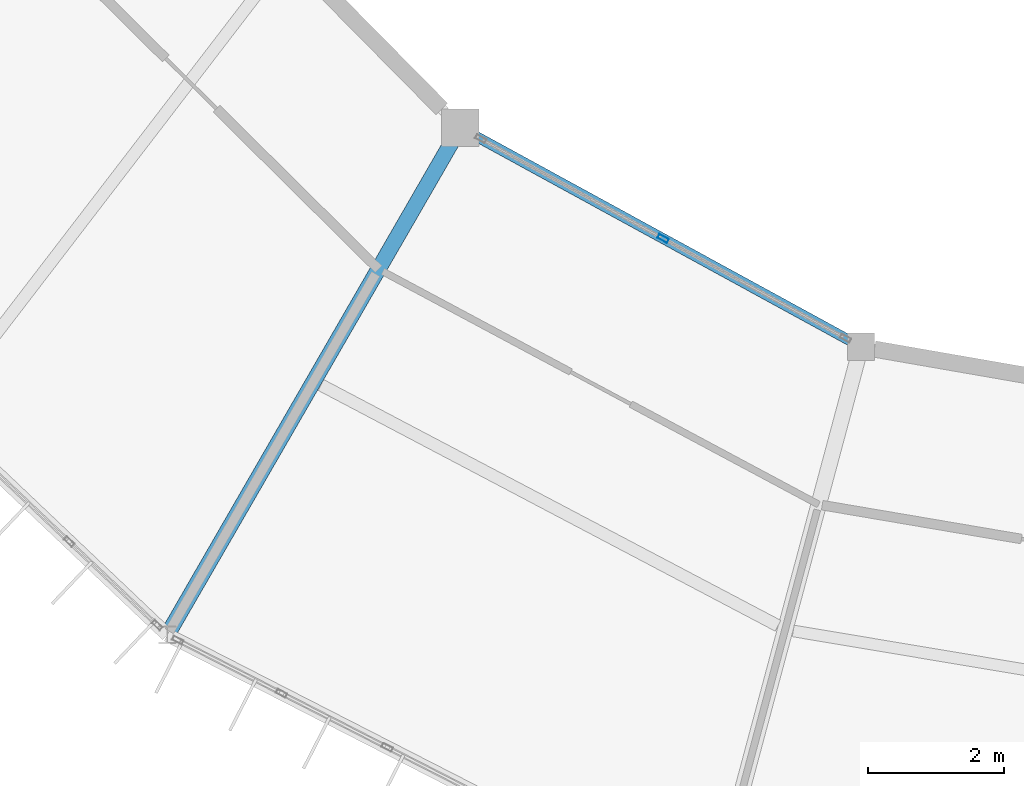
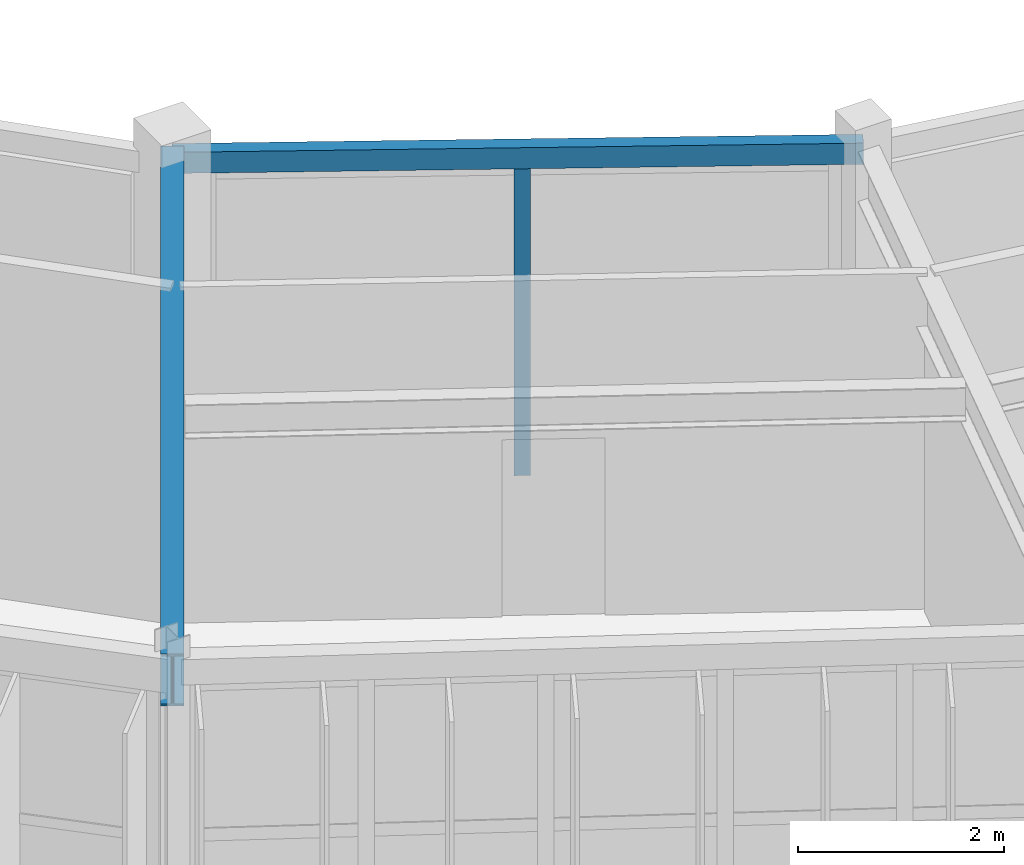
# One storey, part 27 of 134: 2 beams, 1 member, 1 element without a shape of its own.
"""IFC4 building model written with IfcOpenShell, lengths in metres."""

import ifcopenshell
import ifcopenshell.guid

model = None  # the IFC model being written
_history = None  # IfcOwnerHistory: only IFC2X3 demands one
_inside = {}  # id of a spatial element -> (the spatial element, [elements in it])
_under = {}  # id of a project, library or spatial element -> (it, [spatial elements below it])
_declared = {}  # id of a project -> (the project, [libraries it declares])
_typed = {}  # id of a type object -> (the type object, [elements of that type])
_made_of = {}  # id of a material, layer set ... -> (it, [elements and type objects made of it])


def new_model(schema):
    """Start an empty IFC model of exactly this schema.

    Asked for "IFC4X3", IfcOpenShell would pick the latest addendum, in which some entities
    have other attributes; the version numbers below select the first issue.
    IFC2X3 requires an IfcOwnerHistory on every rooted entity: one is made here for all.
    """
    global model, _history
    if schema == "IFC4X3":
        model = ifcopenshell.file(schema_version=(4, 3, 0, 0))
    else:
        model = ifcopenshell.file(schema=schema)
    _inside.clear()
    _under.clear()
    _declared.clear()
    _typed.clear()
    _made_of.clear()
    _history = None
    if model.schema == "IFC2X3":
        org = make("IfcOrganization", Name="unknown")
        user = make(
            "IfcPersonAndOrganization",
            ThePerson=make("IfcPerson", FamilyName="unknown"),
            TheOrganization=org,
        )
        app = make(
            "IfcApplication",
            ApplicationDeveloper=org,
            Version="unknown",
            ApplicationFullName="unknown",
            ApplicationIdentifier="unknown",
        )
        _history = make(
            "IfcOwnerHistory",
            OwningUser=user,
            OwningApplication=app,
            ChangeAction="ADDED",
            CreationDate=0,
        )
    return model


def make(cls, **values):
    """One entity of the class cls with the attributes given. An attribute that is None is left unset."""
    return model.create_entity(
        cls, **{name: value for name, value in values.items() if value is not None}
    )


def rooted(cls, **values):
    """An entity with a GlobalId (a new one), such as an element, a storey or a relation."""
    return make(cls, GlobalId=ifcopenshell.guid.new(), OwnerHistory=_history, **values)


def si_unit(unit_type, name, prefix=None):
    """IfcSIUnit, for example si_unit("LENGTHUNIT", "METRE", prefix="MILLI")."""
    return make("IfcSIUnit", UnitType=unit_type, Prefix=prefix, Name=name)


def assignment(units):
    """IfcUnitAssignment: the units of a project."""
    return None if units is None else make("IfcUnitAssignment", Units=units)


def point(xyz):
    """IfcCartesianPoint."""
    return None if xyz is None else make("IfcCartesianPoint", Coordinates=xyz)


def direction(xyz):
    """IfcDirection."""
    return None if xyz is None else make("IfcDirection", DirectionRatios=xyz)


def frame(location, z_axis=None, x_axis=None):
    """IfcAxis2Placement3D, a coordinate frame: its origin and axes. An axis left out is left unset."""
    return make(
        "IfcAxis2Placement3D",
        Location=point(location),
        Axis=direction(z_axis),
        RefDirection=direction(x_axis),
    )


def frame_2d(location, x_axis=None):
    """IfcAxis2Placement2D, a coordinate frame in the plane: its origin and x axis."""
    return make(
        "IfcAxis2Placement2D", Location=point(location), RefDirection=direction(x_axis)
    )


def origin():
    """The frame at (0, 0, 0) with its axes left unset."""
    return frame((0.0, 0.0, 0.0))


def origin_2d():
    """The frame at (0, 0) in the plane with its x axis left unset."""
    return frame_2d((0.0, 0.0))


def place(relative_to, where):
    """IfcLocalPlacement: puts the frame where relative to a parent placement (None: the world)."""
    return make(
        "IfcLocalPlacement", PlacementRelTo=relative_to, RelativePlacement=where
    )


def context(
    kind, dimensions, precision=None, world=None, true_north=None, identifier=None
):
    """IfcGeometricRepresentationContext, for example the 3D "Model" context."""
    return make(
        "IfcGeometricRepresentationContext",
        ContextIdentifier=identifier,
        ContextType=kind,
        CoordinateSpaceDimension=dimensions,
        Precision=precision,
        WorldCoordinateSystem=world,
        TrueNorth=true_north,
    )


def subcontext(parent, identifier, kind, view, scale=None):
    """IfcGeometricRepresentationSubContext, for example "Body" below "Model"."""
    return make(
        "IfcGeometricRepresentationSubContext",
        ContextIdentifier=identifier,
        ContextType=kind,
        ParentContext=parent,
        TargetScale=scale,
        TargetView=view,
    )


def project(units=None, contexts=None):
    """IfcProject with its units and contexts."""
    return rooted(
        "IfcProject",
        Name="project",
        RepresentationContexts=contexts,
        UnitsInContext=assignment(units),
    )


def spatial(cls, under=None, at=None, **own):
    """A site, building, storey or space (cls), placed at a placement, below another one or the project."""
    s = rooted(cls, ObjectPlacement=at, **own)
    if under is not None:
        _under.setdefault(under.id(), (under, []))[1].append(s)
    return s


def profile(cls, at=None, kind="AREA", **sizes):
    """A parametric profile (cls). Its sizes go by their IFC names, for example OverallWidth=200.0."""
    return make(cls, ProfileType=kind, Position=at, **sizes)


def hollow_rectangle(**sizes):
    """IfcRectangleHollowProfileDef."""
    return profile("IfcRectangleHollowProfileDef", **sizes)


def i_section(**sizes):
    """IfcIShapeProfileDef."""
    return profile("IfcIShapeProfileDef", **sizes)


def extrude(swept, where, along, depth):
    """IfcExtrudedAreaSolid: the profile swept, set in the frame where, extruded along a direction by depth."""
    return make(
        "IfcExtrudedAreaSolid",
        SweptArea=swept,
        Position=where,
        ExtrudedDirection=direction(along),
        Depth=depth,
    )


def shape(context_of_items, identifier, shape_type, items):
    """IfcShapeRepresentation: the items that make up one representation, for example the "Body"."""
    return make(
        "IfcShapeRepresentation",
        ContextOfItems=context_of_items,
        RepresentationIdentifier=identifier,
        RepresentationType=shape_type,
        Items=items,
    )


def material(Name=None, Category=None):
    """IfcMaterial."""
    return make("IfcMaterial", Name=Name, Category=Category)


def material_profile(
    of_material, cross_section, Name=None, Category=None, Priority=None
):
    """IfcMaterialProfile: a cross section and its material."""
    return make(
        "IfcMaterialProfile",
        Name=Name,
        Material=of_material,
        Profile=cross_section,
        Priority=Priority,
        Category=Category,
    )


def profile_set(profiles, Name=None, composite=None):
    """IfcMaterialProfileSet."""
    return make(
        "IfcMaterialProfileSet",
        Name=Name,
        MaterialProfiles=profiles,
        CompositeProfile=composite,
    )


def made_of(thing, what):
    """Note that an element or type object is made of a material, layer set ...; save() writes the relation."""
    if what is not None:
        _made_of.setdefault(what.id(), (what, []))[1].append(thing)
    return thing


def type_object(cls, material=None, **own):
    """A type object (cls), such as IfcWallType, which elements share."""
    return made_of(rooted(cls, **own), material)


def element(
    cls,
    number,
    at=None,
    inside=None,
    cuts=None,
    type_object=None,
    material=None,
    context=None,
    identifier="Body",
    shape_type=None,
    held_by="IfcProductDefinitionShape",
    body=None,
    shapes=None,
    **own,
):
    """One element of the class cls, such as IfcWall. Its Tag is "e" and its number.

    at: its placement. inside: the storey or other place that contains it. cuts: it is an
    opening in that element (IfcRelVoidsElement). A single representation is given by context,
    identifier, shape_type and body (its items); several are given by shapes. held_by: the class
    of the entity that holds the representations. save() writes the other relations.
    """
    e = rooted(cls, Tag="e%d" % number, ObjectPlacement=at, **own)
    if body is not None:
        shapes = [shape(context, identifier, shape_type, body)]
    if shapes is not None:
        e.Representation = make(held_by, Representations=shapes)
    if inside is not None:
        _inside.setdefault(inside.id(), (inside, []))[1].append(e)
    if cuts is not None:
        rooted(
            "IfcRelVoidsElement", RelatingBuildingElement=cuts, RelatedOpeningElement=e
        )
    if type_object is not None:
        _typed.setdefault(type_object.id(), (type_object, []))[1].append(e)
    return made_of(e, material)


def aggregate(whole, parts):
    """IfcRelAggregates: a whole, such as a stair, and the parts it consists of."""
    return rooted("IfcRelAggregates", RelatingObject=whole, RelatedObjects=parts)


def save(model, path):
    """Write the relations noted so far, then the file.

    IfcRelAggregates (storeys below a building ...), IfcRelContainedInSpatialStructure (elements
    in a storey), IfcRelDefinesByType, IfcRelAssociatesMaterial and IfcRelDeclares: one each for
    every whole, place, type object, material and project.
    """
    for whole, parts in _under.values():
        aggregate(whole, parts)
    for where, things in _inside.values():
        rooted(
            "IfcRelContainedInSpatialStructure",
            RelatedElements=things,
            RelatingStructure=where,
        )
    for kind, things in _typed.values():
        rooted("IfcRelDefinesByType", RelatedObjects=things, RelatingType=kind)
    for what, things in _made_of.values():
        rooted("IfcRelAssociatesMaterial", RelatedObjects=things, RelatingMaterial=what)
    for by, libraries in _declared.values():
        rooted("IfcRelDeclares", RelatingContext=by, RelatedDefinitions=libraries)
    model.write(path)


model = new_model("IFC4")

# Units and contexts
model_context = context("Model", 3, precision=1e-05, world=origin(), true_north=direction((0.0, 1.0)))
body_context = subcontext(model_context, "Body", "Model", "MODEL_VIEW")
ifc_project = project(units=[si_unit("LENGTHUNIT", "METRE"), si_unit("AREAUNIT", "SQUARE_METRE"), si_unit("VOLUMEUNIT", "CUBIC_METRE"), si_unit("PLANEANGLEUNIT", "RADIAN"), si_unit("MASSUNIT", "GRAM", prefix="KILO")], contexts=[model_context])

# Site, building, storey
site_placement = place(None, origin())
site = spatial("IfcSite", under=ifc_project, at=site_placement, CompositionType="ELEMENT")
building_placement = place(site_placement, origin())
building = spatial("IfcBuilding", under=site, at=building_placement, Name="Karori Crest Natural Sciences Institute", CompositionType="ELEMENT")
storey_placement = place(building_placement, frame((0.0, 0.0, 21.699951171875)))
storey = spatial("IfcBuildingStorey", under=building, at=storey_placement, Name="L05", CompositionType="ELEMENT", Elevation=21.699951171875)

# Beams
ifc_material_1 = material(Name="Structural steel AS/NZS 3679.1 Grade 350", Category="steel")
ifc_material_profile_1 = material_profile(ifc_material_1, i_section(OverallWidth=0.22900390625, OverallDepth=0.612060546875, WebThickness=0.011962890625, FlangeThickness=0.01953125, FilletRadius=0.013916015625, at=origin_2d()), Name="610UB125")
ifc_profile_set_1 = profile_set([ifc_material_profile_1], Name="Structural steel AS/NZS 3679.1 Grade 350")
beam_type_1 = type_object("IfcBeamType", Name="BT-04", PredefinedType="BEAM", material=ifc_profile_set_1)
beam_1_placement = place(storey_placement, frame((54.199951171875, 22.013916015625, 3.634033203125), z_axis=(-0.500007509209, -0.866021068297, 0.0), x_axis=(0.866021068297, -0.500007509209, 0.0)))
element("IfcBeam", 1, at=beam_1_placement, inside=storey, type_object=beam_type_1, Name="Beam B-0590", PredefinedType="BEAM", context=body_context, shape_type="SweptSolid", body=[
    extrude(i_section(OverallWidth=0.22900390625, OverallDepth=0.612060546875, WebThickness=0.011962890625, FlangeThickness=0.01953125, FilletRadius=0.013916015625, at=origin_2d()), origin(), (0.0, 0.0, 1.0), 8.599853515625),
])
ifc_material_2 = material(Name="Hollow structural steel AS/NZS 1163 Grade C350", Category="steel")
ifc_material_profile_2 = material_profile(ifc_material_2, hollow_rectangle(XDim=0.14990234375, YDim=0.25, WallThickness=0.009033203125, at=origin_2d()), Name="RHS250x150x9")
ifc_profile_set_2 = profile_set([ifc_material_profile_2], Name="Hollow structural steel AS/NZS 1163 Grade C350")
beam_type_2 = type_object("IfcBeamType", Name="BT-16", PredefinedType="SPANDREL", material=ifc_profile_set_2)
beam_2_placement = place(storey_placement, frame((54.199951171875, 22.013916015625, 3.7900390625), z_axis=(0.877461157042, -0.479647701842, 0.0), x_axis=(0.479647701842, 0.877461157042, 0.0)))
element("IfcBeam", 2, at=beam_2_placement, inside=storey, type_object=beam_type_2, Name="Beam B-0589", PredefinedType="SPANDREL", context=body_context, shape_type="SweptSolid", body=[
    extrude(hollow_rectangle(XDim=0.14990234375, YDim=0.25, WallThickness=0.009033203125, at=origin_2d()), origin(), (0.0, 0.0, 1.0), 6.70654296875),
])

# Curtain wall, member
ifc_material_3 = material(Name="Anodised architectural aluminium 6063-T6", Category="aluminium")
curtain_wall_type = type_object("IfcCurtainWallType", Name="CWT-12", PredefinedType="NOTDEFINED", material=ifc_material_3)
curtain_wall_placement = place(storey_placement, origin())
curtain_wall = element("IfcCurtainWall", 3, at=curtain_wall_placement, inside=storey, type_object=curtain_wall_type, Name="Curtain wall CW-0197", PredefinedType="NOTDEFINED")
ifc_material_profile_3 = material_profile(ifc_material_3, hollow_rectangle(XDim=0.06494140625, YDim=0.159912109375, WallThickness=0.00390625, at=origin_2d()), Name="CWM160x65x4")
ifc_profile_set_3 = profile_set([ifc_material_profile_3], Name="Anodised architectural aluminium 6063-T6")
member_type = type_object("IfcMemberType", Name="CWM-01", PredefinedType="MULLION", material=ifc_profile_set_3)
member_placement = place(storey_placement, frame((57.179931640625, 20.385009765625, 0.0), z_axis=(0.0, 0.0, 1.0), x_axis=(0.479631017431, 0.877470277057, 0.0)))
member = element("IfcMember", 4, at=member_placement, type_object=member_type, Name="CW-0197 mullion 2", PredefinedType="MULLION", context=body_context, shape_type="SweptSolid", body=[
    extrude(hollow_rectangle(XDim=0.06494140625, YDim=0.159912109375, WallThickness=0.00390625, at=origin_2d()), origin(), (0.0, 0.0, 1.0), 3.650146484375),
])
aggregate(curtain_wall, [member])

save(model, "model.ifc")
